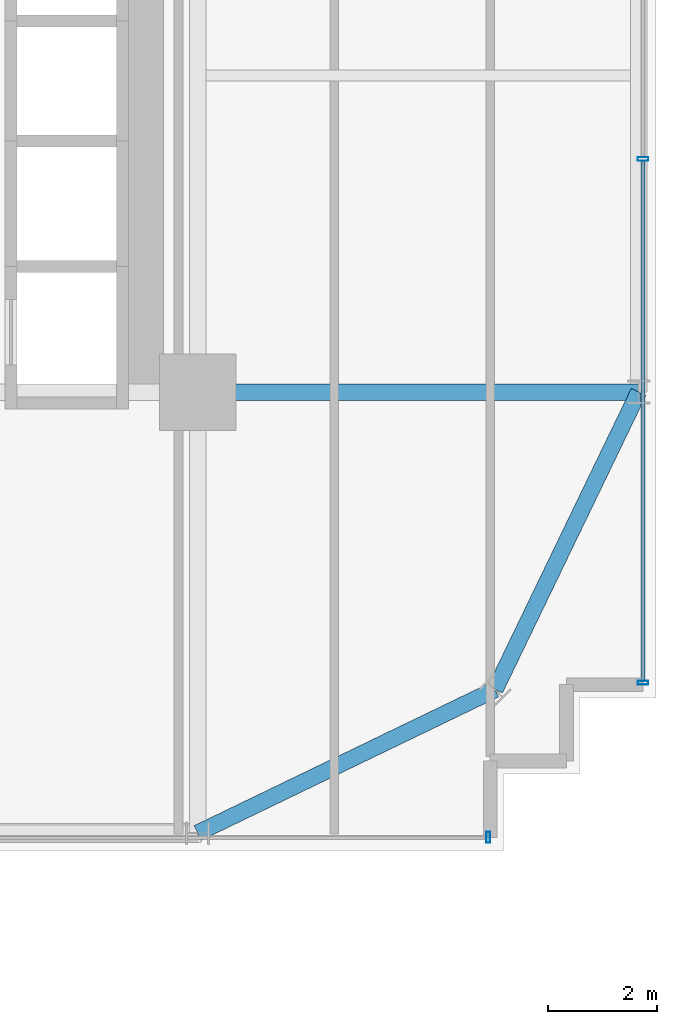
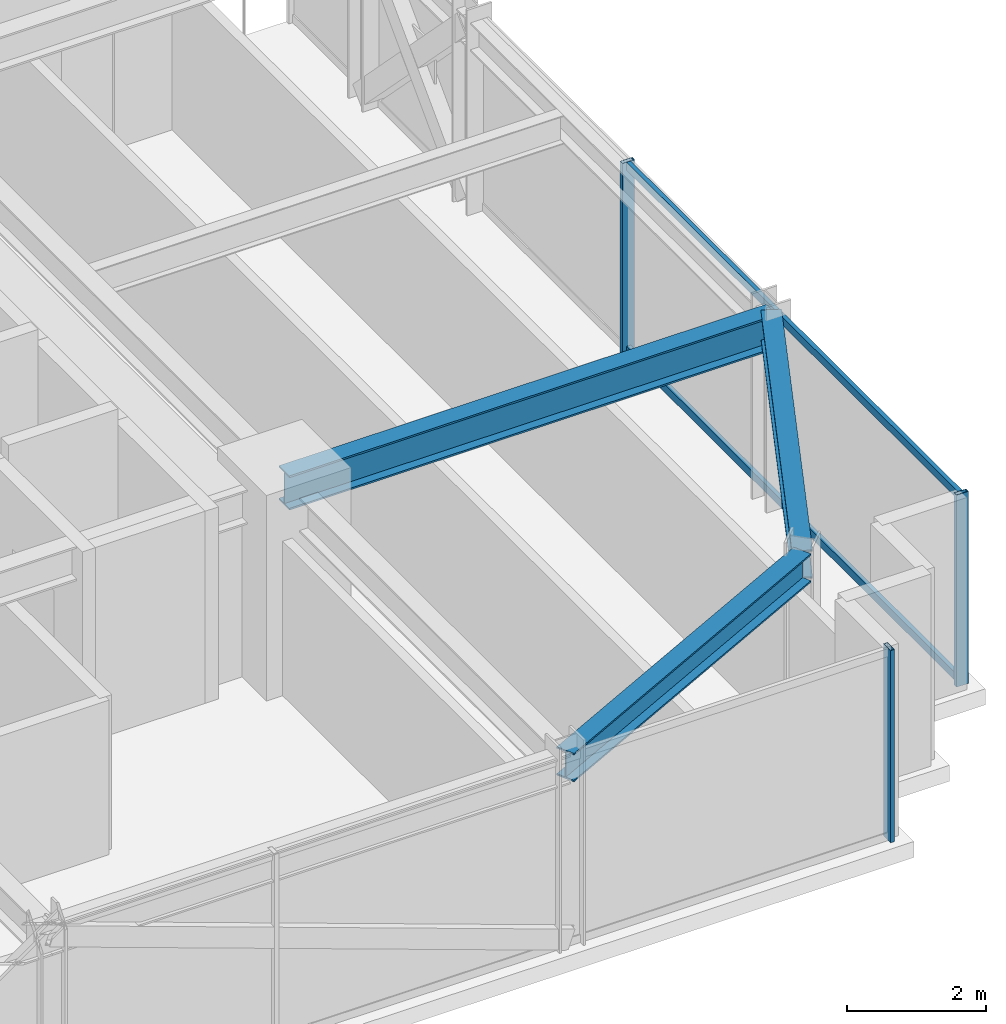
# One storey, part 14 of 37: 5 members, 3 beams, 2 elements without a shape of their own.
"""IFC4 building model written with IfcOpenShell, lengths in metres."""

from ifc_helpers import new_model, si_unit, direction, frame, origin, origin_2d, place, context, subcontext, project, spatial, hollow_rectangle, i_section, extrude, source, transform, mapped, material, material_profile, profile_set, type_object, element, aggregate, save


model = new_model("IFC4")

# Units and contexts
model_context = context("Model", 3, precision=1e-05, world=origin(), true_north=direction((0.0, 1.0)))
body_context = subcontext(model_context, "Body", "Model", "MODEL_VIEW")
ifc_project = project(units=[si_unit("LENGTHUNIT", "METRE"), si_unit("AREAUNIT", "SQUARE_METRE"), si_unit("VOLUMEUNIT", "CUBIC_METRE"), si_unit("PLANEANGLEUNIT", "RADIAN"), si_unit("MASSUNIT", "GRAM", prefix="KILO")], contexts=[model_context])

# Site, building, storey
site_placement = place(None, origin())
site = spatial("IfcSite", under=ifc_project, at=site_placement, CompositionType="ELEMENT")
building_placement = place(site_placement, origin())
building = spatial("IfcBuilding", under=site, at=building_placement, Name="Nahalor Promenade Grand Hotel", CompositionType="ELEMENT")
storey_placement = place(building_placement, frame((0.0, 0.0, 65.25)))
storey = spatial("IfcBuildingStorey", under=building, at=storey_placement, Name="L15", CompositionType="ELEMENT", Elevation=65.25)

# Beams
ifc_material_1 = material(Name="Steel S355JR", Category="steel")
ifc_material_profile_1 = material_profile(ifc_material_1, i_section(OverallWidth=0.3, OverallDepth=0.6, WebThickness=0.0155, FlangeThickness=0.03, at=origin_2d()), Name="HEB 600")
ifc_profile_set_1 = profile_set([ifc_material_profile_1], Name="Steel S355JR")
beam_type_1 = type_object("IfcBeamType", Name="Beam-Girder-HEB600", PredefinedType="BEAM", material=ifc_profile_set_1)
shared_shape_1 = source(origin(), body_context, "Body", "SweptSolid", [
    extrude(i_section(OverallWidth=0.3, OverallDepth=0.6, WebThickness=0.0155, FlangeThickness=0.03, at=origin_2d()), origin(), (0.0, 0.0, 1.0), 8.080078125),
])
beam_placement = place(storey_placement, frame((17.0, -17.0, 3.070068359375), z_axis=(1.0, 0.0, 0.0), x_axis=(0.0, 1.0, 0.0)))
element("IfcBeam", 1, at=beam_placement, inside=storey, type_object=beam_type_1, Name="BM-L15-GX-0-6", PredefinedType="BEAM", context=body_context, shape_type="MappedRepresentation", body=[
    mapped(shared_shape_1, transform((0.0, 0.0, 0.0), scale=1.0)),
])
ifc_material_profile_2 = material_profile(ifc_material_1, i_section(OverallWidth=0.3, OverallDepth=0.5, WebThickness=0.0145, FlangeThickness=0.028, at=origin_2d()), Name="HEB 500")
ifc_profile_set_2 = profile_set([ifc_material_profile_2], Name="Steel S355JR")
beam_type_2 = type_object("IfcBeamType", Name="Beam-Spandrel-HEB500", PredefinedType="SPANDREL", material=ifc_profile_set_2)
shared_shape_2 = source(origin(), body_context, "Body", "SweptSolid", [
    extrude(i_section(OverallWidth=0.3, OverallDepth=0.5, WebThickness=0.0145, FlangeThickness=0.028, at=origin_2d()), origin(), (0.0, 0.0, 1.0), 6.051513671875),
])
for number, where, z_axis, x_axis, name in (
    (2, (17.0, -25.080078125, 3.1201171875), (0.900608818852, 0.434630596492, 0.0), (-0.434630596492, 0.900608818852, 0.0), "BM-L15-SPC-SE-1"),
    (3, (22.449951171875, -22.449951171875, 3.1201171875), (0.434630596492, 0.900608818852, 0.0), (-0.900608818852, 0.434630596492, 0.0), "BM-L15-SPC-SE-2"),
):
    element("IfcBeam", number, at=place(storey_placement, frame(where, z_axis=z_axis, x_axis=x_axis)), inside=storey, type_object=beam_type_2, Name=name, PredefinedType="SPANDREL", context=body_context, shape_type="MappedRepresentation", body=[
        mapped(shared_shape_2, transform((0.0, 0.0, 0.0), scale=1.0)),
    ])

# Curtain wall, member
ifc_material_2 = material(Name="Anodised Bronze Aluminium EN AW-6063 T6", Category="aluminium")
curtain_wall_type = type_object("IfcCurtainWallType", Name="CW3 Elliptical-Void Collar Unitised Curtain Wall", PredefinedType="USERDEFINED", material=ifc_material_2)
curtain_wall_1_placement = place(storey_placement, origin())
curtain_wall_1 = element("IfcCurtainWall", 4, at=curtain_wall_1_placement, inside=storey, type_object=curtain_wall_type, Name="L15 Curtain Wall CW-L15-S-3", ObjectType="UNITISED_CURTAIN_WALL", PredefinedType="USERDEFINED")
ifc_material_profile_3 = material_profile(ifc_material_2, hollow_rectangle(XDim=0.07, YDim=0.2, WallThickness=0.005, at=origin_2d()), Name="CWM 70x200x5")
ifc_profile_set_3 = profile_set([ifc_material_profile_3], Name="Anodised Bronze Aluminium EN AW-6063 T6")
member_type_1 = type_object("IfcMemberType", Name="CWM3 Void Collar Mullion 70x200", PredefinedType="MULLION", material=ifc_profile_set_3)
shared_shape_3 = source(origin(), body_context, "Body", "SweptSolid", [
    extrude(hollow_rectangle(XDim=0.07, YDim=0.2, WallThickness=0.005, at=origin_2d()), origin(), (0.0, 0.0, 1.0), 3.3701171875),
])
member_1_placement = place(storey_placement, frame((22.324951171875, -25.159912109375, 0.0), z_axis=(0.0, 0.0, 1.0), x_axis=(1.0, 0.0, 0.0)))
member_1 = element("IfcMember", 5, at=member_1_placement, type_object=member_type_1, Name="CW-L15-S-3 Mullion 3", PredefinedType="MULLION", context=body_context, shape_type="MappedRepresentation", body=[
    mapped(shared_shape_3, transform((0.0, 0.0, 0.0), scale=1.0)),
])
aggregate(curtain_wall_1, [member_1])

# Curtain wall, members
curtain_wall_2_placement = place(storey_placement, origin())
curtain_wall_2 = element("IfcCurtainWall", 6, at=curtain_wall_2_placement, inside=storey, type_object=curtain_wall_type, Name="L15 Curtain Wall CW-L15-E-1", ObjectType="UNITISED_CURTAIN_WALL", PredefinedType="USERDEFINED")
member_2_placement = place(storey_placement, frame((25.159912109375, -22.324951171875, 0.0), z_axis=(0.0, 0.0, 1.0), x_axis=(0.0, 1.0, 0.0)))
member_2 = element("IfcMember", 7, at=member_2_placement, type_object=member_type_1, Name="CW-L15-E-1 Mullion 0", PredefinedType="MULLION", context=body_context, shape_type="MappedRepresentation", body=[
    mapped(shared_shape_3, transform((0.0, 0.0, 0.0), scale=1.0)),
])
member_3_placement = place(storey_placement, frame((25.159912109375, -12.72998046875, 0.0), z_axis=(0.0, 0.0, 1.0), x_axis=(0.0, 1.0, 0.0)))
member_3 = element("IfcMember", 8, at=member_3_placement, type_object=member_type_1, Name="CW-L15-E-1 Mullion 1", PredefinedType="MULLION", context=body_context, shape_type="MappedRepresentation", body=[
    mapped(shared_shape_3, transform((0.0, 0.0, 0.0), scale=1.0)),
])
ifc_material_profile_4 = material_profile(ifc_material_2, hollow_rectangle(XDim=0.07, YDim=0.14, WallThickness=0.004, at=origin_2d()), Name="CWT 70x140x4")
ifc_profile_set_4 = profile_set([ifc_material_profile_4], Name="Anodised Bronze Aluminium EN AW-6063 T6")
member_type_2 = type_object("IfcMemberType", Name="CWT3 Void Collar Transom 70x140", PredefinedType="USERDEFINED", material=ifc_profile_set_4)
shared_shape_4 = source(origin(), body_context, "Body", "SweptSolid", [
    extrude(hollow_rectangle(XDim=0.07, YDim=0.14, WallThickness=0.004, at=origin_2d()), origin(), (0.0, 0.0, 1.0), 9.525146484375),
])
member_4_placement = place(storey_placement, frame((25.159912109375, -22.2900390625, 0.070068359375), z_axis=(0.0, 1.0, 0.0), x_axis=(-1.0, 0.0, 0.0)))
member_4 = element("IfcMember", 9, at=member_4_placement, type_object=member_type_2, Name="CW-L15-E-1 Transom 0-0", ObjectType="TRANSOM", PredefinedType="USERDEFINED", context=body_context, shape_type="MappedRepresentation", body=[
    mapped(shared_shape_4, transform((0.0, 0.0, 0.0), scale=1.0)),
])
member_5_placement = place(storey_placement, frame((25.159912109375, -22.2900390625, 3.300048828125), z_axis=(0.0, 1.0, 0.0), x_axis=(-1.0, 0.0, 0.0)))
member_5 = element("IfcMember", 10, at=member_5_placement, type_object=member_type_2, Name="CW-L15-E-1 Transom 0-1", ObjectType="TRANSOM", PredefinedType="USERDEFINED", context=body_context, shape_type="MappedRepresentation", body=[
    mapped(shared_shape_4, transform((0.0, 0.0, 0.0), scale=1.0)),
])
aggregate(curtain_wall_2, [member_2, member_3, member_4, member_5])

save(model, "model.ifc")
